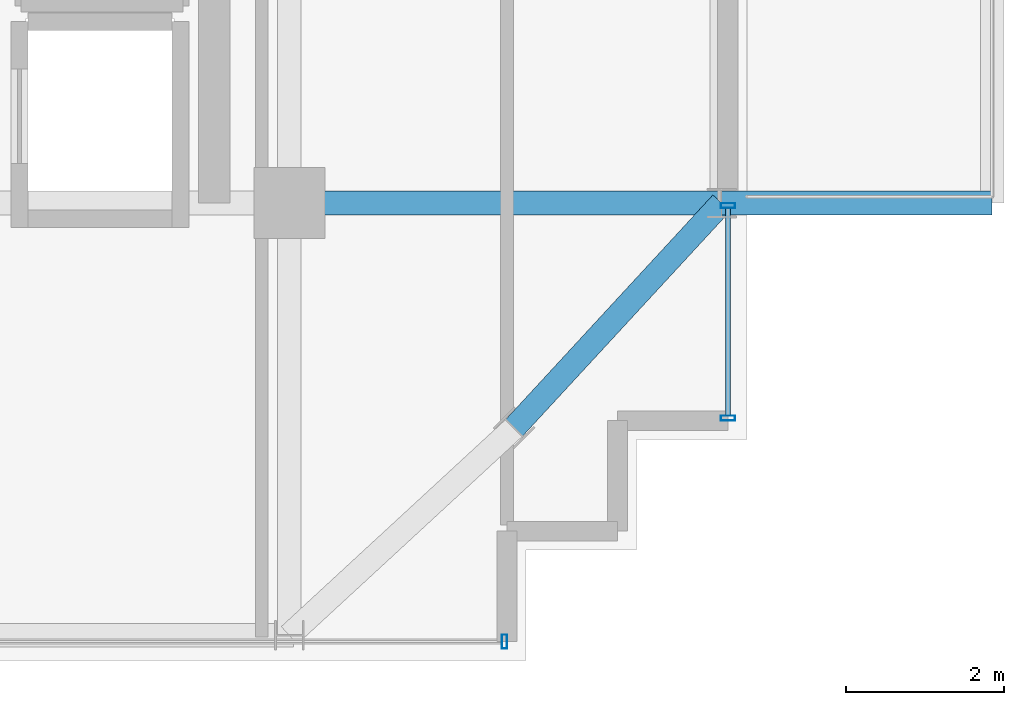
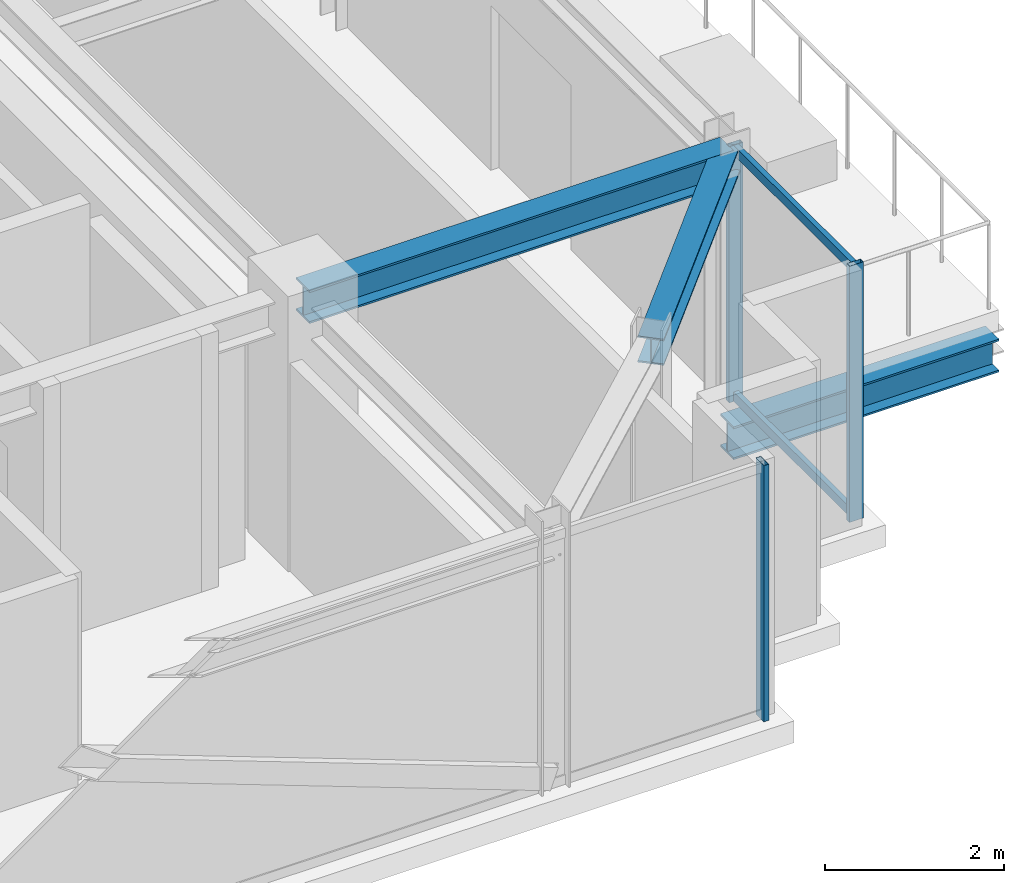
# One storey, part 12 of 31: 5 members, 3 beams, 2 elements without a shape of their own.
"""IFC4 building model written with IfcOpenShell, lengths in metres."""

from ifc_helpers import new_model, si_unit, direction, frame, origin, origin_2d, place, context, subcontext, project, spatial, hollow_rectangle, i_section, extrude, source, transform, mapped, material, material_profile, profile_set, type_object, element, aggregate, save


model = new_model("IFC4")

# Units and contexts
model_context = context("Model", 3, precision=1e-05, world=origin(), true_north=direction((0.0, 1.0)))
body_context = subcontext(model_context, "Body", "Model", "MODEL_VIEW")
ifc_project = project(units=[si_unit("LENGTHUNIT", "METRE"), si_unit("AREAUNIT", "SQUARE_METRE"), si_unit("VOLUMEUNIT", "CUBIC_METRE"), si_unit("PLANEANGLEUNIT", "RADIAN"), si_unit("MASSUNIT", "GRAM", prefix="KILO")], contexts=[model_context])

# Site, building, storey
site_placement = place(None, origin())
site = spatial("IfcSite", under=ifc_project, at=site_placement, CompositionType="ELEMENT")
building_placement = place(site_placement, origin())
building = spatial("IfcBuilding", under=site, at=building_placement, Name="Nahalor Promenade Grand Hotel", CompositionType="ELEMENT")
storey_placement = place(building_placement, frame((0.0, 0.0, 327.14990234375)))
storey = spatial("IfcBuildingStorey", under=building, at=storey_placement, Name="L84", CompositionType="ELEMENT", Elevation=327.14990234375)

# Beams
ifc_material_1 = material(Name="Steel S355JR", Category="steel")
ifc_material_profile_1 = material_profile(ifc_material_1, i_section(OverallWidth=0.3, OverallDepth=0.45, WebThickness=0.014, FlangeThickness=0.026, at=origin_2d()), Name="HEB 450")
ifc_profile_set_1 = profile_set([ifc_material_profile_1], Name="Steel S355JR")
beam_type_1 = type_object("IfcBeamType", Name="Beam-Outrigger-HEB450", PredefinedType="BEAM", material=ifc_profile_set_1)
shared_shape_1 = source(origin(), body_context, "Body", "SweptSolid", [
    extrude(i_section(OverallWidth=0.3, OverallDepth=0.45, WebThickness=0.014, FlangeThickness=0.026, at=origin_2d()), origin(), (0.0, 0.0, 1.0), 3.429931640625),
])
beam_1_placement = place(storey_placement, frame((22.47998046875, -17.0, -0.5048828125), z_axis=(1.0, 0.0, 0.0), x_axis=(0.0, 1.0, 0.0)))
element("IfcBeam", 1, at=beam_1_placement, inside=storey, type_object=beam_type_1, Name="BM-L84-BC-02-1", PredefinedType="BEAM", context=body_context, shape_type="MappedRepresentation", body=[
    mapped(shared_shape_1, transform((0.0, 0.0, 0.0), scale=1.0)),
])
ifc_material_profile_2 = material_profile(ifc_material_1, i_section(OverallWidth=0.3, OverallDepth=0.45, WebThickness=0.014, FlangeThickness=0.026, at=origin_2d()), Name="HEB 450")
ifc_profile_set_2 = profile_set([ifc_material_profile_2], Name="Steel S355JR")
beam_type_2 = type_object("IfcBeamType", Name="Beam-Girder-HEB450", PredefinedType="BEAM", material=ifc_profile_set_2)
shared_shape_2 = source(origin(), body_context, "Body", "SweptSolid", [
    extrude(i_section(OverallWidth=0.3, OverallDepth=0.45, WebThickness=0.014, FlangeThickness=0.026, at=origin_2d()), origin(), (0.0, 0.0, 1.0), 5.47998046875),
])
beam_2_placement = place(storey_placement, frame((17.0, -17.0, 3.275146484375), z_axis=(1.0, 0.0, 0.0), x_axis=(0.0, 1.0, 0.0)))
element("IfcBeam", 2, at=beam_2_placement, inside=storey, type_object=beam_type_2, Name="BM-L84-GX-0-6", PredefinedType="BEAM", context=body_context, shape_type="MappedRepresentation", body=[
    mapped(shared_shape_2, transform((0.0, 0.0, 0.0), scale=1.0)),
])
ifc_material_profile_3 = material_profile(ifc_material_1, i_section(OverallWidth=0.3, OverallDepth=0.36, WebThickness=0.0125, FlangeThickness=0.0225, at=origin_2d()), Name="HEB 360")
ifc_profile_set_3 = profile_set([ifc_material_profile_3], Name="Steel S355JR")
beam_type_3 = type_object("IfcBeamType", Name="Beam-Spandrel-HEB360", PredefinedType="SPANDREL", material=ifc_profile_set_3)
shared_shape_3 = source(origin(), body_context, "Body", "SweptSolid", [
    extrude(i_section(OverallWidth=0.3, OverallDepth=0.36, WebThickness=0.0125, FlangeThickness=0.0225, at=origin_2d()), origin(), (0.0, 0.0, 1.0), 3.878173828125),
])
beam_3_placement = place(storey_placement, frame((19.85009765625, -19.85009765625, 3.320068359375), z_axis=(0.678144125843, 0.73492893846, 0.0), x_axis=(-0.73492893846, 0.678144125843, 0.0)))
element("IfcBeam", 3, at=beam_3_placement, inside=storey, type_object=beam_type_3, Name="BM-L84-SPC-SE-2", PredefinedType="SPANDREL", context=body_context, shape_type="MappedRepresentation", body=[
    mapped(shared_shape_3, transform((0.0, 0.0, 0.0), scale=1.0)),
])

# Curtain wall, members
ifc_material_2 = material(Name="Anodised Bronze Aluminium EN AW-6063 T6", Category="aluminium")
curtain_wall_type = type_object("IfcCurtainWallType", Name="CW2 Typical Hotel Flush Bronze Unitised Curtain Wall", PredefinedType="USERDEFINED", material=ifc_material_2)
curtain_wall_1_placement = place(storey_placement, origin())
curtain_wall_1 = element("IfcCurtainWall", 4, at=curtain_wall_1_placement, inside=storey, type_object=curtain_wall_type, Name="L84 Curtain Wall CW-L84-E-1", ObjectType="UNITISED_CURTAIN_WALL", PredefinedType="USERDEFINED")
ifc_material_profile_4 = material_profile(ifc_material_2, hollow_rectangle(XDim=0.065, YDim=0.13, WallThickness=0.004, at=origin_2d()), Name="CWT 65x130x4")
ifc_profile_set_4 = profile_set([ifc_material_profile_4], Name="Anodised Bronze Aluminium EN AW-6063 T6")
member_type_1 = type_object("IfcMemberType", Name="CWT2 Typical Bronze Transom 65x130", PredefinedType="USERDEFINED", material=ifc_profile_set_4)
shared_shape_4 = source(origin(), body_context, "Body", "SweptSolid", [
    extrude(hollow_rectangle(XDim=0.065, YDim=0.13, WallThickness=0.004, at=origin_2d()), origin(), (0.0, 0.0, 1.0), 2.630126953125),
])
member_1_placement = place(storey_placement, frame((22.56005859375, -19.695068359375, 0.065185546875), z_axis=(0.0, 1.0, 0.0), x_axis=(-1.0, 0.0, 0.0)))
member_1 = element("IfcMember", 5, at=member_1_placement, type_object=member_type_1, Name="CW-L84-E-1 Transom 0-0", ObjectType="TRANSOM", PredefinedType="USERDEFINED", context=body_context, shape_type="MappedRepresentation", body=[
    mapped(shared_shape_4, transform((0.0, 0.0, 0.0), scale=1.0)),
])
member_2_placement = place(storey_placement, frame((22.56005859375, -19.695068359375, 3.43505859375), z_axis=(0.0, 1.0, 0.0), x_axis=(-1.0, 0.0, 0.0)))
member_2 = element("IfcMember", 6, at=member_2_placement, type_object=member_type_1, Name="CW-L84-E-1 Transom 0-1", ObjectType="TRANSOM", PredefinedType="USERDEFINED", context=body_context, shape_type="MappedRepresentation", body=[
    mapped(shared_shape_4, transform((0.0, 0.0, 0.0), scale=1.0)),
])

# Curtain wall, member
curtain_wall_2_placement = place(storey_placement, origin())
curtain_wall_2 = element("IfcCurtainWall", 7, at=curtain_wall_2_placement, inside=storey, type_object=curtain_wall_type, Name="L84 Curtain Wall CW-L84-S-1", ObjectType="UNITISED_CURTAIN_WALL", PredefinedType="USERDEFINED")
ifc_material_profile_5 = material_profile(ifc_material_2, hollow_rectangle(XDim=0.065, YDim=0.18, WallThickness=0.004, at=origin_2d()), Name="CWM 65x180x4")
ifc_profile_set_5 = profile_set([ifc_material_profile_5], Name="Anodised Bronze Aluminium EN AW-6063 T6")
member_type_2 = type_object("IfcMemberType", Name="CWM2 Typical Bronze Mullion 65x180", PredefinedType="MULLION", material=ifc_profile_set_5)
shared_shape_5 = source(origin(), body_context, "Body", "SweptSolid", [
    extrude(hollow_rectangle(XDim=0.065, YDim=0.18, WallThickness=0.004, at=origin_2d()), origin(), (0.0, 0.0, 1.0), 3.5),
])
member_3_placement = place(storey_placement, frame((19.7275390625, -22.56005859375, 0.0), z_axis=(0.0, 0.0, 1.0), x_axis=(1.0, 0.0, 0.0)))
member_3 = element("IfcMember", 8, at=member_3_placement, type_object=member_type_2, Name="CW-L84-S-1 Mullion 3", PredefinedType="MULLION", context=body_context, shape_type="MappedRepresentation", body=[
    mapped(shared_shape_5, transform((0.0, 0.0, 0.0), scale=1.0)),
])
aggregate(curtain_wall_2, [member_3])

# Member
member_4_placement = place(storey_placement, frame((22.56005859375, -19.7275390625, 0.0), z_axis=(0.0, 0.0, 1.0), x_axis=(0.0, 1.0, 0.0)))
member_4 = element("IfcMember", 9, at=member_4_placement, type_object=member_type_2, Name="CW-L84-E-1 Mullion 0", PredefinedType="MULLION", context=body_context, shape_type="MappedRepresentation", body=[
    mapped(shared_shape_5, transform((0.0, 0.0, 0.0), scale=1.0)),
])

member_5_placement = place(storey_placement, frame((22.56005859375, -17.032470703125, 0.0), z_axis=(0.0, 0.0, 1.0), x_axis=(0.0, 1.0, 0.0)))
member_5 = element("IfcMember", 10, at=member_5_placement, type_object=member_type_2, Name="CW-L84-E-1 Mullion 1", PredefinedType="MULLION", context=body_context, shape_type="MappedRepresentation", body=[
    mapped(shared_shape_5, transform((0.0, 0.0, 0.0), scale=1.0)),
])

aggregate(curtain_wall_1, [member_4, member_5, member_1, member_2])

save(model, "model.ifc")
